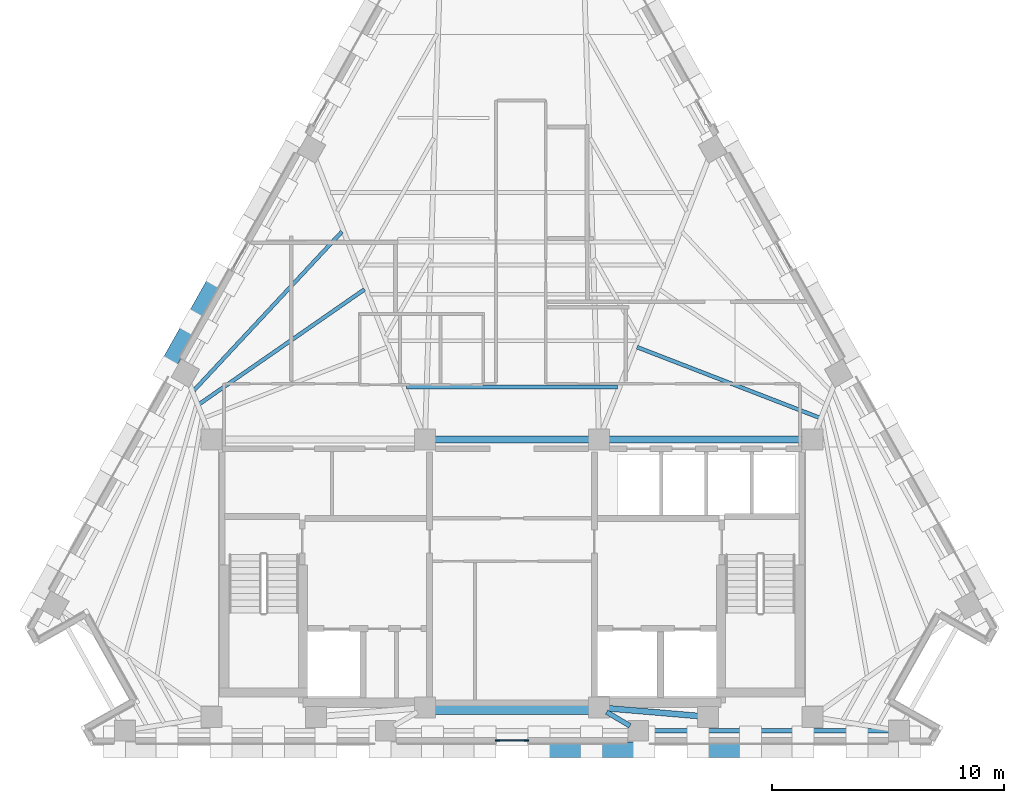
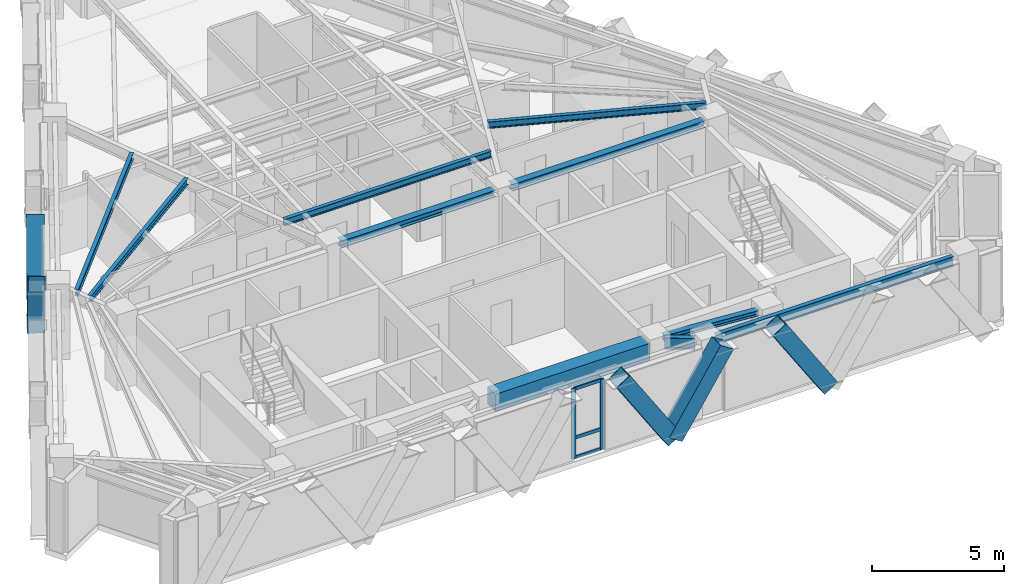
# One storey, part 2 of 12: 10 beams, 10 members, 1 element without a shape of its own.
"""IFC4 building model written with IfcOpenShell, lengths in metres."""

from ifc_helpers import new_model, si_unit, direction, frame, origin, origin_2d, place, context, subcontext, project, spatial, rectangle, hollow_rectangle, i_section, extrude, material, material_profile, profile_set, type_object, element, aggregate, save


model = new_model("IFC4")

# Units and contexts
model_context = context("Model", 3, precision=1e-05, world=origin(), true_north=direction((0.0, 1.0)))
body_context = subcontext(model_context, "Body", "Model", "MODEL_VIEW")
ifc_project = project(units=[si_unit("LENGTHUNIT", "METRE"), si_unit("AREAUNIT", "SQUARE_METRE"), si_unit("VOLUMEUNIT", "CUBIC_METRE"), si_unit("PLANEANGLEUNIT", "RADIAN"), si_unit("MASSUNIT", "GRAM", prefix="KILO")], contexts=[model_context])

# Site, building, storey
site_placement = place(None, origin())
site = spatial("IfcSite", under=ifc_project, at=site_placement, CompositionType="ELEMENT")
building_placement = place(site_placement, origin())
building = spatial("IfcBuilding", under=site, at=building_placement, Name="Quenlor Broadcast Tower", CompositionType="ELEMENT")
storey_placement = place(building_placement, frame((0.0, 0.0, 221.89990234375)))
storey = spatial("IfcBuildingStorey", under=building, at=storey_placement, Name="L61", CompositionType="ELEMENT", Elevation=221.89990234375)

# Curtain wall, members
ifc_material_1 = material(Name="Architectural Terracotta and Low-E Glazing", Category="masonry")
curtain_wall_type = type_object("IfcCurtainWallType", Name="Unitised Terracotta Curtain Wall System Z4", PredefinedType="NOTDEFINED", material=ifc_material_1)
curtain_wall_placement = place(storey_placement, origin())
curtain_wall = element("IfcCurtainWall", 1, at=curtain_wall_placement, inside=storey, type_object=curtain_wall_type, Name="L61 Curtain Wall CW4 (L61-S-G1)", PredefinedType="NOTDEFINED")
ifc_material_2 = material(Name="Aluminium 6063-T6", Category="aluminium")
ifc_material_profile_1 = material_profile(ifc_material_2, rectangle(XDim=0.068115234375, YDim=0.179931640625, at=origin_2d()))
ifc_profile_set_1 = profile_set([ifc_material_profile_1], Name="Aluminium 6063-T6 MULL68x180")
member_type_1 = type_object("IfcMemberType", Name="CW4 Aluminium Mullion MULL_CW4", PredefinedType="MULLION", material=ifc_profile_set_1)
member_1_placement = place(storey_placement, frame((0.62841796875, -17.77490234375, 0.0), z_axis=(0.0, 0.0, 1.0), x_axis=(0.0, -1.0, 0.0)))
member_1 = element("IfcMember", 2, at=member_1_placement, type_object=member_type_1, Name="CW4 mullion 1", PredefinedType="MULLION", context=body_context, shape_type="SweptSolid", body=[
    extrude(rectangle(XDim=0.068115234375, YDim=0.179931640625, at=origin_2d()), origin(), (0.0, 0.0, 1.0), 3.25),
])
member_2_placement = place(storey_placement, frame((-0.62841796875, -17.77490234375, 0.0), z_axis=(0.0, 0.0, 1.0), x_axis=(0.0, -1.0, 0.0)))
member_2 = element("IfcMember", 3, at=member_2_placement, type_object=member_type_1, Name="CW4 mullion 2", PredefinedType="MULLION", context=body_context, shape_type="SweptSolid", body=[
    extrude(rectangle(XDim=0.068115234375, YDim=0.179931640625, at=origin_2d()), origin(), (0.0, 0.0, 1.0), 3.25),
])
ifc_material_3 = material(Name="Aluminium 6063-T6", Category="aluminium")
ifc_material_profile_2 = material_profile(ifc_material_3, rectangle(XDim=0.068115234375, YDim=0.14990234375, at=origin_2d()))
ifc_profile_set_2 = profile_set([ifc_material_profile_2], Name="Aluminium 6063-T6 TRAN68x150")
member_type_2 = type_object("IfcMemberType", Name="CW4 Aluminium Transom TRAN_CW4", PredefinedType="USERDEFINED", material=ifc_profile_set_2)
member_3_placement = place(storey_placement, frame((0.59423828125, -17.77490234375, 0.0341796875), z_axis=(-1.0, 0.0, 0.0), x_axis=(0.0, -1.0, 0.0)))
member_3 = element("IfcMember", 4, at=member_3_placement, type_object=member_type_2, Name="CW4 transom 1.1", ObjectType="TRANSOM", PredefinedType="USERDEFINED", context=body_context, shape_type="SweptSolid", body=[
    extrude(rectangle(XDim=0.068115234375, YDim=0.14990234375, at=origin_2d()), origin(), (0.0, 0.0, 1.0), 1.1884765625),
])
member_4_placement = place(storey_placement, frame((0.59423828125, -17.77490234375, 0.9501953125), z_axis=(-1.0, 0.0, 0.0), x_axis=(0.0, -1.0, 0.0)))
member_4 = element("IfcMember", 5, at=member_4_placement, type_object=member_type_2, Name="CW4 transom 1.2", ObjectType="TRANSOM", PredefinedType="USERDEFINED", context=body_context, shape_type="SweptSolid", body=[
    extrude(rectangle(XDim=0.068115234375, YDim=0.14990234375, at=origin_2d()), origin(), (0.0, 0.0, 1.0), 1.1884765625),
])
member_5_placement = place(storey_placement, frame((0.59423828125, -17.77490234375, 3.216064453125), z_axis=(-1.0, 0.0, 0.0), x_axis=(0.0, -1.0, 0.0)))
member_5 = element("IfcMember", 6, at=member_5_placement, type_object=member_type_2, Name="CW4 transom 1.3", ObjectType="TRANSOM", PredefinedType="USERDEFINED", context=body_context, shape_type="SweptSolid", body=[
    extrude(rectangle(XDim=0.068115234375, YDim=0.14990234375, at=origin_2d()), origin(), (0.0, 0.0, 1.0), 1.1884765625),
])
aggregate(curtain_wall, [member_1, member_2, member_3, member_4, member_5])

# Beams
ifc_material_4 = material(Name="Concrete C50/60", Category="concrete")
ifc_material_profile_3 = material_profile(ifc_material_4, rectangle(XDim=0.60009765625, YDim=0.800048828125, at=origin_2d()))
ifc_profile_set_3 = profile_set([ifc_material_profile_3], Name="Concrete C50/60 RCB600x800")
beam_type_1 = type_object("IfcBeamType", Name="Core Coupling Beam Concrete C50/60 600x800", PredefinedType="BEAM", material=ifc_profile_set_3)
beam_1_placement = place(storey_placement, frame((-3.389892578125, -16.35009765625, 2.85009765625), z_axis=(1.0, 0.0, 0.0), x_axis=(0.0, 1.0, 0.0)))
element("IfcBeam", 7, at=beam_1_placement, inside=storey, type_object=beam_type_1, Name="L61 Core Coupling Beam 6", PredefinedType="BEAM", context=body_context, shape_type="SweptSolid", body=[
    extrude(rectangle(XDim=0.60009765625, YDim=0.800048828125, at=origin_2d()), origin(), (0.0, 0.0, 1.0), 6.77978515625),
])
ifc_material_5 = material(Name="Steel S355", Category="steel")
ifc_material_profile_4 = material_profile(ifc_material_5, i_section(OverallWidth=0.304931640625, OverallDepth=0.30810546875, WebThickness=0.010009765625, FlangeThickness=0.015380859375, FilletRadius=0.0166015625, at=origin_2d()))
ifc_profile_set_4 = profile_set([ifc_material_profile_4], Name="Steel S355 310UC96.8")
beam_type_2 = type_object("IfcBeamType", Name="Core Header Beam Steel S355 310UC96.8", PredefinedType="BEAM", material=ifc_profile_set_4)
beam_2_placement = place(storey_placement, frame((-3.389892578125, -4.800048828125, 3.09619140625), z_axis=(1.0, 0.0, 0.0), x_axis=(0.0, 1.0, 0.0)))
element("IfcBeam", 8, at=beam_2_placement, inside=storey, type_object=beam_type_2, Name="L61 Core Header Beam 2", PredefinedType="BEAM", context=body_context, shape_type="SweptSolid", body=[
    extrude(i_section(OverallWidth=0.304931640625, OverallDepth=0.30810546875, WebThickness=0.010009765625, FlangeThickness=0.015380859375, FilletRadius=0.0166015625, at=origin_2d()), origin(), (0.0, 0.0, 1.0), 6.77978515625),
])
ifc_material_6 = material(Name="Steel S355", Category="steel")
ifc_material_profile_5 = material_profile(ifc_material_6, i_section(OverallWidth=0.25390625, OverallDepth=0.25390625, WebThickness=0.008544921875, FlangeThickness=0.01416015625, FilletRadius=0.013916015625, at=origin_2d()))
ifc_profile_set_5 = profile_set([ifc_material_profile_5], Name="Steel S355 250UC72.9")
beam_type_3 = type_object("IfcBeamType", Name="Core Opening Lintel Beam Steel S355 250UC72.9", PredefinedType="LINTEL", material=ifc_profile_set_5)
beam_3_placement = place(storey_placement, frame((4.108642578125, -16.380615234375, 3.123291015625), z_axis=(0.996399763903, -0.084779186679, 0.0), x_axis=(0.084779186679, 0.996399763903, 0.0)))
element("IfcBeam", 9, at=beam_3_placement, inside=storey, type_object=beam_type_3, Name="L61 Core Opening Lintel Beam 5", PredefinedType="LINTEL", context=body_context, shape_type="SweptSolid", body=[
    extrude(i_section(OverallWidth=0.25390625, OverallDepth=0.25390625, WebThickness=0.008544921875, FlangeThickness=0.01416015625, FilletRadius=0.013916015625, at=origin_2d()), origin(), (0.0, 0.0, 1.0), 3.9970703125),
])
ifc_material_7 = material(Name="Steel S355", Category="steel")
ifc_material_profile_6 = material_profile(ifc_material_7, i_section(OverallWidth=0.306884765625, OverallDepth=0.314697265625, WebThickness=0.011962890625, FlangeThickness=0.018798828125, FilletRadius=0.0166015625, at=origin_2d()))
ifc_profile_set_6 = profile_set([ifc_material_profile_6], Name="Steel S355 310UC118")
beam_type_4 = type_object("IfcBeamType", Name="Core Tie Beam Steel S355 310UC118", PredefinedType="BEAM", material=ifc_profile_set_6)
beam_4_placement = place(storey_placement, frame((4.110107421875, -4.800048828125, 3.0927734375), z_axis=(1.0, 0.0, 0.0), x_axis=(0.0, 1.0, 0.0)))
element("IfcBeam", 10, at=beam_4_placement, inside=storey, type_object=beam_type_4, Name="L61 Core Tie Beam 3", PredefinedType="BEAM", context=body_context, shape_type="SweptSolid", body=[
    extrude(i_section(OverallWidth=0.306884765625, OverallDepth=0.314697265625, WebThickness=0.011962890625, FlangeThickness=0.018798828125, FilletRadius=0.0166015625, at=origin_2d()), origin(), (0.0, 0.0, 1.0), 8.47998046875),
])

# Members
ifc_material_8 = material(Name="Steel S355", Category="steel")
ifc_material_profile_7 = material_profile(ifc_material_8, hollow_rectangle(XDim=0.679931640625, YDim=0.679931640625, WallThickness=0.02490234375, at=origin_2d()))
ifc_profile_set_7 = profile_set([ifc_material_profile_7], Name="Steel S355 RHS680x680x25")
member_type_3 = type_object("IfcMemberType", Name="Perimeter Diagonal Lattice Brace Z3-Z4 Steel S355 RHS680x25", PredefinedType="BRACE", material=ifc_profile_set_7)
for number, where, z_axis, x_axis, name in (
    (11, (10.261962890625, -18.169921875, -0.119873046875), (-0.541794306908, 0.0, 0.840511111766), (0.0, -1.0, 0.0), "L61 Perimeter Diamond Lattice S-C2S"),
    (12, (3.43896484375, -18.169921875, -0.119873046875), (0.541794306908, 0.0, 0.840511111766), (0.0, 1.0, 0.0), "L61 Perimeter Diamond Lattice S-C2B"),
    (13, (3.41162109375, -18.169921875, -0.119873046875), (-0.541794306908, 0.0, 0.840511111766), (0.0, -1.0, 0.0), "L61 Perimeter Diamond Lattice S-C3S"),
):
    element("IfcMember", number, at=place(storey_placement, frame(where, z_axis=z_axis, x_axis=x_axis)), inside=storey, type_object=member_type_3, Name=name, PredefinedType="BRACE", context=body_context, shape_type="SweptSolid", body=[
        extrude(hollow_rectangle(XDim=0.679931640625, YDim=0.679931640625, WallThickness=0.02490234375, at=origin_2d()), origin(), (0.0, 0.0, 1.0), 4.1640625),
    ])
for number, where, z_axis, x_axis, name in (
    (14, (-13.794677734375, 0.22314453125, -0.119873046875), (-0.269485495908, -0.479188912076, 0.835317636614), (0.871620820774, -0.490180726664, 0.0), "L61 Perimeter Diamond Lattice NW-C2B"),
    (15, (-13.781005859375, 0.24755859375, -0.119873046875), (0.269547055694, 0.479136497832, 0.835327840559), (-0.871550060774, 0.49030652817, 0.0), "L61 Perimeter Diamond Lattice NW-C3S"),
):
    element("IfcMember", number, at=place(storey_placement, frame(where, z_axis=z_axis, x_axis=x_axis)), inside=storey, type_object=member_type_3, Name=name, PredefinedType="BRACE", context=body_context, shape_type="SweptSolid", body=[
        extrude(hollow_rectangle(XDim=0.679931640625, YDim=0.679931640625, WallThickness=0.02490234375, at=origin_2d()), origin(), (0.0, 0.0, 1.0), 4.18994140625),
    ])

# Beams
ifc_material_9 = material(Name="Steel S355", Category="steel")
ifc_material_profile_8 = material_profile(ifc_material_9, i_section(OverallWidth=0.18994140625, OverallDepth=0.453857421875, WebThickness=0.008544921875, FlangeThickness=0.0126953125, FilletRadius=0.011474609375, at=origin_2d()))
ifc_profile_set_8 = profile_set([ifc_material_profile_8], Name="Steel S355 460UB67.1")
beam_type_5 = type_object("IfcBeamType", Name="Perimeter Spandrel Beam Z4 Steel S355 460UB67.1", PredefinedType="SPANDREL", material=ifc_profile_set_8)
beam_5_placement = place(storey_placement, frame((5.847900390625, -17.35009765625, 3.023193359375), z_axis=(1.0, 0.0, 0.0), x_axis=(0.0, 1.0, 0.0)))
element("IfcBeam", 16, at=beam_5_placement, inside=storey, type_object=beam_type_5, Name="L61 Spandrel Beam S3-S4", PredefinedType="SPANDREL", context=body_context, shape_type="SweptSolid", body=[
    extrude(i_section(OverallWidth=0.18994140625, OverallDepth=0.453857421875, WebThickness=0.008544921875, FlangeThickness=0.0126953125, FilletRadius=0.011474609375, at=origin_2d()), origin(), (0.0, 0.0, 1.0), 10.41796875),
])
ifc_material_10 = material(Name="Steel S355", Category="steel")
ifc_material_profile_9 = material_profile(ifc_material_10, i_section(OverallWidth=0.166015625, OverallDepth=0.30712890625, WebThickness=0.006591796875, FlangeThickness=0.01171875, FilletRadius=0.011474609375, at=origin_2d()))
ifc_profile_set_9 = profile_set([ifc_material_profile_9], Name="Steel S355 310UB46.2")
beam_type_6 = type_object("IfcBeamType", Name="Tower Composite Joist Z4-Z5 Steel S355 310UB46.2", PredefinedType="JOIST", material=ifc_profile_set_9)
beam_6_placement = place(storey_placement, frame((-4.550048828125, -2.54736328125, 3.096435546875), z_axis=(1.0, 0.0, 0.0), x_axis=(0.0, 1.0, 0.0)))
element("IfcBeam", 17, at=beam_6_placement, inside=storey, type_object=beam_type_6, Name="L61 Secondary Composite Joist 1", PredefinedType="JOIST", context=body_context, shape_type="SweptSolid", body=[
    extrude(i_section(OverallWidth=0.166015625, OverallDepth=0.30712890625, WebThickness=0.006591796875, FlangeThickness=0.01171875, FilletRadius=0.011474609375, at=origin_2d()), origin(), (0.0, 0.0, 1.0), 9.10009765625),
])
beam_7_placement = place(storey_placement, frame((-13.470458984375, -3.273681640625, 3.096435546875), z_axis=(0.821539857981, 0.570151086773, 0.0), x_axis=(-0.570151086773, 0.821539857981, 0.0)))
element("IfcBeam", 18, at=beam_7_placement, inside=storey, type_object=beam_type_6, Name="L61 Secondary Composite Joist 8", PredefinedType="JOIST", context=body_context, shape_type="SweptSolid", body=[
    extrude(i_section(OverallWidth=0.166015625, OverallDepth=0.30712890625, WebThickness=0.006591796875, FlangeThickness=0.01171875, FilletRadius=0.011474609375, at=origin_2d()), origin(), (0.0, 0.0, 1.0), 8.656982421875),
])
beam_8_placement = place(storey_placement, frame((-13.707275390625, -2.691162109375, 3.096435546875), z_axis=(0.682034672805, 0.731319837754, 0.0), x_axis=(-0.731319837754, 0.682034672805, 0.0)))
element("IfcBeam", 19, at=beam_8_placement, inside=storey, type_object=beam_type_6, Name="L61 Secondary Composite Joist 9", PredefinedType="JOIST", context=body_context, shape_type="SweptSolid", body=[
    extrude(i_section(OverallWidth=0.166015625, OverallDepth=0.30712890625, WebThickness=0.006591796875, FlangeThickness=0.01171875, FilletRadius=0.011474609375, at=origin_2d()), origin(), (0.0, 0.0, 1.0), 9.357421875),
])
beam_9_placement = place(storey_placement, frame((13.236083984375, -3.85986328125, 3.096435546875), z_axis=(-0.932639299023, 0.360810113381, 0.0), x_axis=(-0.360810113381, -0.932639299023, 0.0)))
element("IfcBeam", 20, at=beam_9_placement, inside=storey, type_object=beam_type_6, Name="L61 Secondary Composite Joist 10", PredefinedType="JOIST", context=body_context, shape_type="SweptSolid", body=[
    extrude(i_section(OverallWidth=0.166015625, OverallDepth=0.30712890625, WebThickness=0.006591796875, FlangeThickness=0.01171875, FilletRadius=0.011474609375, at=origin_2d()), origin(), (0.0, 0.0, 1.0), 8.413330078125),
])
ifc_material_11 = material(Name="Steel S355", Category="steel")
ifc_material_profile_10 = material_profile(ifc_material_11, i_section(OverallWidth=0.208984375, OverallDepth=0.5283203125, WebThickness=0.009521484375, FlangeThickness=0.01318359375, FilletRadius=0.013916015625, at=origin_2d()))
ifc_profile_set_10 = profile_set([ifc_material_profile_10], Name="Steel S355 530UB82.0")
beam_type_7 = type_object("IfcBeamType", Name="Tower Primary Floor Beam Z4 Steel S355 530UB82.0", PredefinedType="BEAM", material=ifc_profile_set_10)
beam_10_placement = place(storey_placement, frame((5.085205078125, -17.14111328125, 2.986083984375), z_axis=(-0.86032875258, 0.509739578102, 0.0), x_axis=(-0.509739578102, -0.86032875258, 0.0)))
element("IfcBeam", 21, at=beam_10_placement, inside=storey, type_object=beam_type_7, Name="L61 Primary Radial Beam S3", PredefinedType="BEAM", context=body_context, shape_type="SweptSolid", body=[
    extrude(i_section(OverallWidth=0.208984375, OverallDepth=0.5283203125, WebThickness=0.009521484375, FlangeThickness=0.01318359375, FilletRadius=0.013916015625, at=origin_2d()), origin(), (0.0, 0.0, 1.0), 1.171875),
])

save(model, "model.ifc")
